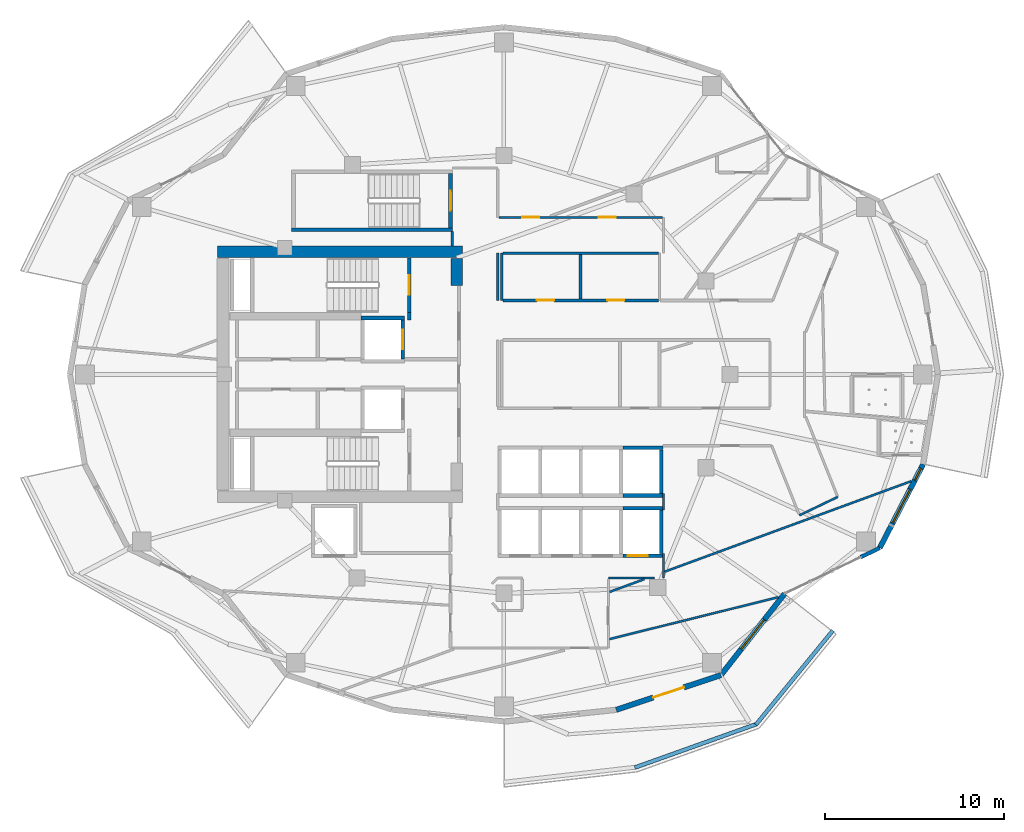
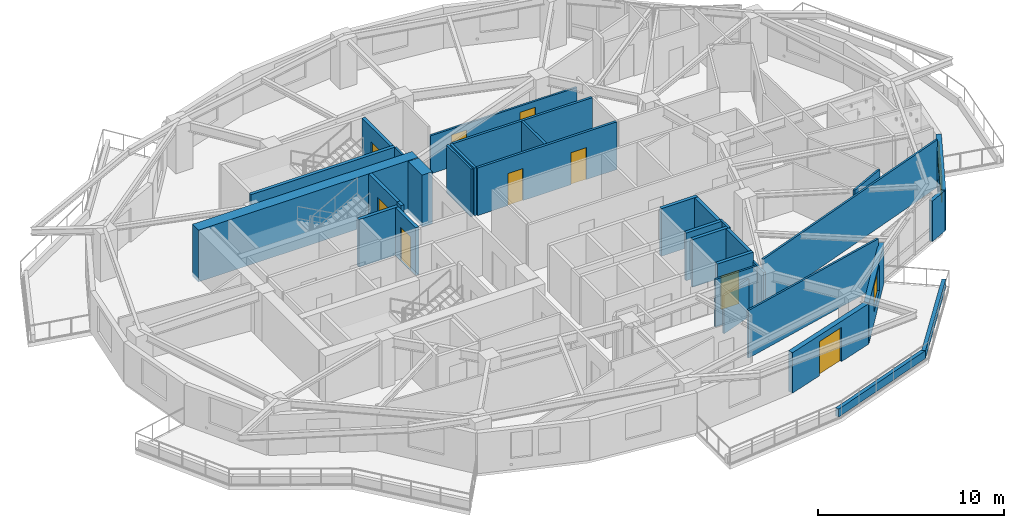
# One storey, part 8 of 15: 34 walls, 9 doors, 3 windows, 12 openings.
"""IFC4 building model written with IfcOpenShell, lengths in metres."""

from ifc_helpers import new_model, si_unit, direction, frame, frame_2d, origin, place, context, subcontext, project, spatial, rectangle, extrude, material, layer, layer_set, type_object, element, fill, save


model = new_model("IFC4")

# Units and contexts
model_context = context("Model", 3, precision=1e-05, world=origin(), true_north=direction((0.0, 1.0)))
body_context = subcontext(model_context, "Body", "Model", "MODEL_VIEW")
ifc_project = project(units=[si_unit("LENGTHUNIT", "METRE"), si_unit("AREAUNIT", "SQUARE_METRE"), si_unit("VOLUMEUNIT", "CUBIC_METRE"), si_unit("PLANEANGLEUNIT", "RADIAN"), si_unit("MASSUNIT", "GRAM", prefix="KILO")], contexts=[model_context])

# Site, building, storey
site_placement = place(None, origin())
site = spatial("IfcSite", under=ifc_project, at=site_placement, CompositionType="ELEMENT")
building_placement = place(site_placement, origin())
building = spatial("IfcBuilding", under=site, at=building_placement, Name="Kolvaren Gate Tower and Convention Centre", CompositionType="ELEMENT")
storey_placement = place(building_placement, frame((0.0, 0.0, 129.10009765625)))
storey = spatial("IfcBuildingStorey", under=building, at=storey_placement, Name="L32", CompositionType="ELEMENT", Elevation=129.10009765625)

# Walls
ifc_material_1 = material(Name="Autoclaved Aerated Masonry Blockwork Class 4 (4.0 MPa)", Category="masonry")
ifc_layer_1 = layer(ifc_material_1, 0.179931640625)
ifc_layer_set_1 = layer_set([ifc_layer_1], Name="Autoclaved Aerated Masonry Blockwork Class 4 (4.0 MPa)")
wall_type_1 = type_object("IfcWallType", Name="ARCH-WL-COMP-180", PredefinedType="SOLIDWALL", material=ifc_layer_set_1)
wall_1_placement = place(storey_placement, frame((24.85009765625, 30.0400390625, 0.0), z_axis=(0.0, 0.0, 1.0), x_axis=(0.0, 1.0, 0.0)))
element("IfcWall", 1, at=wall_1_placement, inside=storey, type_object=wall_type_1, Name="Interior Partition WL-L32-INT-002", PredefinedType="SOLIDWALL", context=body_context, shape_type="SweptSolid", body=[
    extrude(rectangle(XDim=0.419921875, YDim=0.179931640625, at=frame_2d((0.2099609375, 0.0))), origin(), (0.0, 0.0, 1.0), 3.1298828125),
])
ifc_material_2 = material(Name="Fire-Rated Acoustic Gypsum Stud Partition", Category="gypsum")
ifc_layer_2 = layer(ifc_material_2, 0.1201171875)
ifc_layer_set_2 = layer_set([ifc_layer_2], Name="Fire-Rated Acoustic Gypsum Stud Partition")
wall_type_2 = type_object("IfcWallType", Name="ARCH-WL-PART-120", PredefinedType="PARTITIONING", material=ifc_layer_set_2)
wall_2_placement = place(storey_placement, frame((39.02001953125, 15.64990234375, 0.0), z_axis=(0.0, 0.0, 1.0), x_axis=(0.0, 1.0, 0.0)))
element("IfcWall", 2, at=wall_2_placement, inside=storey, type_object=wall_type_2, Name="Interior Partition WL-L32-INT-022", PredefinedType="PARTITIONING", context=body_context, shape_type="SweptSolid", body=[
    extrude(rectangle(XDim=1.360107421875, YDim=0.1201171875, at=frame_2d((0.68017578125, 0.0))), origin(), (0.0, 0.0, 1.0), 2.5048828125),
])
wall_3_placement = place(storey_placement, frame((39.02001953125, 19.43994140625, 0.0), z_axis=(0.0, 0.0, 1.0), x_axis=(0.0, 1.0, 0.0)))
element("IfcWall", 3, at=wall_3_placement, inside=storey, type_object=wall_type_2, Name="Interior Partition WL-L32-INT-022 (2)", PredefinedType="PARTITIONING", context=body_context, shape_type="SweptSolid", body=[
    extrude(rectangle(XDim=0.920166015625, YDim=0.1201171875, at=frame_2d((0.4599609375, 0.0))), origin(), (0.0, 0.0, 1.0), 3.1298828125),
])
wall_4_placement = place(storey_placement, frame((35.949951171875, 15.64990234375, 0.0), z_axis=(0.0, 0.0, 1.0), x_axis=(1.0, 0.0, 0.0)))
element("IfcWall", 4, at=wall_4_placement, inside=storey, type_object=wall_type_2, Name="Interior Partition WL-L32-INT-025", PredefinedType="PARTITIONING", context=body_context, shape_type="SweptSolid", body=[
    extrude(rectangle(XDim=2.568115234375, YDim=0.1201171875, at=frame_2d((1.2841796875, 0.0))), origin(), (0.0, 0.0, 1.0), 3.1298828125),
])
wall_5_placement = place(storey_placement, frame((27.25, 34.152099609375, 0.0), z_axis=(0.0, 0.0, 1.0), x_axis=(0.0, 1.0, 0.0)))
element("IfcWall", 5, at=wall_5_placement, inside=storey, type_object=wall_type_2, Name="Interior Partition WL-L32-INT-028", PredefinedType="PARTITIONING", context=body_context, shape_type="SweptSolid", body=[
    extrude(rectangle(XDim=0.805908203125, YDim=0.1201171875, at=frame_2d((0.40283203125, 0.0))), origin(), (0.0, 0.0, 1.0), 3.1298828125),
])
wall_6_placement = place(storey_placement, frame((29.780029296875, 31.1201171875, 0.0), z_axis=(0.0, 0.0, 1.0), x_axis=(0.0, 1.0, 0.0)))
element("IfcWall", 6, at=wall_6_placement, inside=storey, type_object=wall_type_2, Name="Interior Partition WL-L32-INT-032", PredefinedType="PARTITIONING", context=body_context, shape_type="SweptSolid", body=[
    extrude(rectangle(XDim=2.6298828125, YDim=0.1201171875, at=frame_2d((1.31494140625, 0.0))), origin(), (0.0, 0.0, 1.0), 3.1298828125),
])

# Wall, openings, doors
wall_7_placement = place(storey_placement, frame((29.842041015625, 35.75, 0.0), z_axis=(0.0, 0.0, 1.0), x_axis=(1.0, 0.0, 0.0)))
wall_7 = element("IfcWall", 7, at=wall_7_placement, inside=storey, type_object=wall_type_2, Name="Interior Partition WL-L32-INT-034", PredefinedType="PARTITIONING", context=body_context, shape_type="SweptSolid", body=[
    extrude(rectangle(XDim=9.115966796875, YDim=0.1201171875, at=frame_2d((4.55810546875, 0.0))), origin(), (0.0, 0.0, 1.0), 2.5048828125),
])
opening_1_placement = place(wall_7_placement, frame((5.56787109375, 0.0, 0.0)))
opening_1 = element("IfcOpeningElement", 8, at=opening_1_placement, cuts=wall_7, Name="Opening DR-01", PredefinedType="OPENING", context=body_context, shape_type="SweptSolid", body=[
    extrude(rectangle(XDim=0.949951171875, YDim=2.10009765625, at=frame_2d((0.47509765625, 1.050048828125))), frame((0.0, 0.070068359375, 0.0), z_axis=(0.0, -1.0, 0.0), x_axis=(1.0, 0.0, 0.0)), (0.0, 0.0, 1.0), 0.14013671875),
])
opening_2_placement = place(wall_7_placement, frame((1.302490234375, 0.0, 0.0)))
opening_2 = element("IfcOpeningElement", 9, at=opening_2_placement, cuts=wall_7, Name="Opening DR-01", PredefinedType="OPENING", context=body_context, shape_type="SweptSolid", body=[
    extrude(rectangle(XDim=0.949951171875, YDim=2.10009765625, at=frame_2d((0.47509765625, 1.050048828125))), frame((0.0, 0.070068359375, 0.0), z_axis=(0.0, -1.0, 0.0), x_axis=(1.0, 0.0, 0.0)), (0.0, 0.0, 1.0), 0.14013671875),
])
ifc_material_3 = material(Name="Painted Architectural Steelwork ASTM A500 Grade C 345 MPa", Category="steel")
door_type_1 = type_object("IfcDoorType", Name="ARCH-DR-RISER-950", OperationType="SINGLE_SWING_RIGHT", PredefinedType="DOOR", material=ifc_material_3)
door_1_placement = place(opening_1_placement, origin())
door_1 = element("IfcDoor", 10, at=door_1_placement, inside=storey, type_object=door_type_1, Name="Hotel Guest Room (HTL-L32-09) Door", OperationType="SINGLE_SWING_LEFT", OverallHeight=2.10009765625, OverallWidth=0.949951171875, PredefinedType="DOOR", context=body_context, shape_type="SweptSolid", body=[
    extrude(rectangle(XDim=0.949951171875, YDim=2.10009765625, at=frame_2d((0.47509765625, 1.050048828125))), frame((0.0, 0.02490234375, 0.0), z_axis=(0.0, -1.0, 0.0), x_axis=(1.0, 0.0, 0.0)), (0.0, 0.0, 1.0), 0.050048828125),
])
fill(opening_1, door_1)
door_2_placement = place(opening_2_placement, origin())
door_2 = element("IfcDoor", 11, at=door_2_placement, inside=storey, type_object=door_type_1, Name="Hotel Botanical Clubroom Door", OperationType="SINGLE_SWING_RIGHT", OverallHeight=2.10009765625, OverallWidth=0.949951171875, PredefinedType="DOOR", context=body_context, shape_type="SweptSolid", body=[
    extrude(rectangle(XDim=0.949951171875, YDim=2.10009765625, at=frame_2d((0.47509765625, 1.050048828125))), frame((0.0, 0.02490234375, 0.0), z_axis=(0.0, -1.0, 0.0), x_axis=(1.0, 0.0, 0.0)), (0.0, 0.0, 1.0), 0.050048828125),
])
fill(opening_2, door_2)

# Walls
wall_8_placement = place(storey_placement, frame((46.593994140625, 19.14501953125, 0.0), z_axis=(0.0, 0.0, 1.0), x_axis=(0.901274899261, 0.433247684312, 0.0)))
element("IfcWall", 12, at=wall_8_placement, inside=storey, type_object=wall_type_2, Name="Interior Partition WL-L32-INT-040", PredefinedType="PARTITIONING", context=body_context, shape_type="SweptSolid", body=[
    extrude(rectangle(XDim=2.36572265625, YDim=0.1201171875, at=frame_2d((1.182861328125, 0.0))), origin(), (0.0, 0.0, 1.0), 3.1298828125),
])
wall_9_placement = place(storey_placement, frame((36.011962890625, 14.875732421875, 0.0), z_axis=(0.0, 0.0, 1.0), x_axis=(0.938757901669, 0.344577425339, 0.0)))
element("IfcWall", 13, at=wall_9_placement, inside=storey, type_object=wall_type_2, Name="Interior Partition WL-L32-INT-052", PredefinedType="PARTITIONING", context=body_context, shape_type="SweptSolid", body=[
    extrude(rectangle(XDim=2.066650390625, YDim=0.1201171875, at=frame_2d((1.033203125, 0.0))), origin(), (0.0, 0.0, 1.0), 2.5048828125),
])
wall_10_placement = place(storey_placement, frame((39.08203125, 16.0029296875, 0.0), z_axis=(0.0, 0.0, 1.0), x_axis=(0.93872535699, 0.344666076288, 0.0)))
element("IfcWall", 14, at=wall_10_placement, inside=storey, type_object=wall_type_2, Name="Interior Partition WL-L32-INT-053", PredefinedType="PARTITIONING", context=body_context, shape_type="SweptSolid", body=[
    extrude(rectangle(XDim=14.64501953125, YDim=0.1201171875, at=frame_2d((7.322509765625, 0.0))), origin(), (0.0, 0.0, 1.0), 3.1298828125),
])
wall_11_placement = place(storey_placement, frame((36.011962890625, 12.249267578125, 0.0), z_axis=(0.0, 0.0, 1.0), x_axis=(0.970568919411, 0.24082353015, 0.0)))
element("IfcWall", 15, at=wall_11_placement, inside=storey, type_object=wall_type_2, Name="Interior Partition WL-L32-INT-055", PredefinedType="PARTITIONING", context=body_context, shape_type="SweptSolid", body=[
    extrude(rectangle(XDim=9.69873046875, YDim=0.1201171875, at=frame_2d((4.849365234375, 0.0))), origin(), (0.0, 0.0, 1.0), 3.1298828125),
])
ifc_material_4 = material(Name="Bogota Sabana Bush-Hammered Sandstone Cladding", Category="masonry")
ifc_layer_3 = layer(ifc_material_4, 0.219970703125)
ifc_layer_set_3 = layer_set([ifc_layer_3], Name="Bogota Sabana Bush-Hammered Sandstone Cladding")
wall_type_3 = type_object("IfcWallType", Name="ARCH-WL-PIER-220", PredefinedType="SOLIDWALL", material=ifc_layer_set_3)
wall_12_placement = place(storey_placement, frame((50.0068359375, 16.813232421875, 0.0), z_axis=(0.0, 0.0, 1.0), x_axis=(0.90138115854, 0.433026566193, 0.0)))
element("IfcWall", 16, at=wall_12_placement, inside=storey, type_object=wall_type_3, Name="Tower L32 Unitised Curtain Wall CW-HTL-UNIT Bay 21 Right Column Pier Wrap", PredefinedType="SOLIDWALL", context=body_context, shape_type="SweptSolid", body=[
    extrude(rectangle(XDim=1.181640625, YDim=0.219970703125, at=frame_2d((0.5908203125, 0.0))), origin(), (0.0, 0.0, 1.0), 2.65283203125),
])
ifc_material_5 = material(Name="Piedmont Cream Honed Limestone Cladding", Category="masonry")
ifc_layer_4 = layer(ifc_material_5, 0.219970703125)
ifc_layer_set_4 = layer_set([ifc_layer_4], Name="Piedmont Cream Honed Limestone Cladding")
wall_type_4 = type_object("IfcWallType", Name="ARCH-WL-PLANTER-220", PredefinedType="PARAPET", material=ifc_layer_set_4)
wall_13_placement = place(storey_placement, frame((37.4189453125, 5.08740234375, 0.0), z_axis=(0.0, 0.0, 1.0), x_axis=(0.941632697311, 0.336642040387, 0.0)))
element("IfcWall", 17, at=wall_13_placement, inside=storey, type_object=wall_type_4, Name="Vertical-Forest Balcony Stone Planter Kerb PK-L32-3.2", PredefinedType="PARAPET", context=body_context, shape_type="SweptSolid", body=[
    extrude(rectangle(XDim=7.235595703125, YDim=0.219970703125, at=frame_2d((3.61767578125, 0.0))), origin(), (0.0, 0.0, 1.0), 0.52001953125),
])
wall_14_placement = place(storey_placement, frame((44.1669921875, 7.476806640625, 0.0), z_axis=(0.0, 0.0, 1.0), x_axis=(0.633002467947, 0.77414977593, 0.0)))
element("IfcWall", 18, at=wall_14_placement, inside=storey, type_object=wall_type_4, Name="Vertical-Forest Balcony Stone Planter Kerb PK-L32-3.3", PredefinedType="PARAPET", context=body_context, shape_type="SweptSolid", body=[
    extrude(rectangle(XDim=6.7802734375, YDim=0.219970703125, at=frame_2d((3.39013671875, 0.0))), origin(), (0.0, 0.0, 1.0), 0.52001953125),
])
ifc_layer_5 = layer(ifc_material_1, 0.199951171875)
ifc_layer_set_5 = layer_set([ifc_layer_5], Name="Autoclaved Aerated Masonry Blockwork Class 4 (4.0 MPa)")
wall_type_5 = type_object("IfcWallType", Name="ARCH-WL-SHAFT-200", PredefinedType="SOLIDWALL", material=ifc_layer_set_5)
wall_15_placement = place(storey_placement, frame((22.14990234375, 30.139892578125, 0.0), z_axis=(0.0, 0.0, 1.0), x_axis=(1.0, 0.0, 0.0)))
element("IfcWall", 19, at=wall_15_placement, inside=storey, type_object=wall_type_5, Name="Elevator FF-01 L32 Fire Shaft Wall N", PredefinedType="SOLIDWALL", context=body_context, shape_type="SweptSolid", body=[
    extrude(rectangle(XDim=2.4501953125, YDim=0.199951171875, at=frame_2d((1.22509765625, 0.0))), origin(), (0.0, 0.0, 1.0), 3.1298828125),
])

# Wall, opening, door
wall_16_placement = place(storey_placement, frame((24.5, 27.85009765625, 0.0), z_axis=(0.0, 0.0, 1.0), x_axis=(0.0, 1.0, 0.0)))
wall_16 = element("IfcWall", 20, at=wall_16_placement, inside=storey, type_object=wall_type_5, Name="Elevator FF-01 L32 Fire Shaft Wall E", PredefinedType="SOLIDWALL", context=body_context, shape_type="SweptSolid", body=[
    extrude(rectangle(XDim=2.179931640625, YDim=0.199951171875, at=frame_2d((1.08984375, 0.0))), origin(), (0.0, 0.0, 1.0), 3.1298828125),
])
opening_3_placement = place(wall_16_placement, frame((0.5400390625, 0.0, 0.0)))
opening_3 = element("IfcOpeningElement", 21, at=opening_3_placement, cuts=wall_16, Name="Opening LD", PredefinedType="OPENING", context=body_context, shape_type="SweptSolid", body=[
    extrude(rectangle(XDim=1.10009765625, YDim=2.199951171875, at=frame_2d((0.550048828125, 1.10009765625))), frame((0.0, 0.10986328125, 0.0), z_axis=(0.0, -1.0, 0.0), x_axis=(1.0, 0.0, 0.0)), (0.0, 0.0, 1.0), 0.219970703125),
])
ifc_material_6 = material(Name="Brushed Stainless Steel Grade 316L", Category="steel")
door_type_2 = type_object("IfcDoorType", Name="ARCH-DR-LIFT-1100", OperationType="SLIDING_TO_LEFT", PredefinedType="DOOR", material=ifc_material_6)
door_3_placement = place(opening_3_placement, origin())
door_3 = element("IfcDoor", 22, at=door_3_placement, inside=storey, type_object=door_type_2, Name="Elevator FF-01 L32 Sliding Landing Door", OperationType="SLIDING_TO_LEFT", OverallHeight=2.199951171875, OverallWidth=1.10009765625, PredefinedType="DOOR", context=body_context, shape_type="SweptSolid", body=[
    extrude(rectangle(XDim=1.10009765625, YDim=2.199951171875, at=frame_2d((0.550048828125, 1.10009765625))), frame((0.0, 0.02490234375, 0.0), z_axis=(0.0, -1.0, 0.0), x_axis=(1.0, 0.0, 0.0)), (0.0, 0.0, 1.0), 0.050048828125),
])
fill(opening_3, door_3)

# Wall
wall_17_placement = place(storey_placement, frame((36.75, 19.550048828125, 0.0), z_axis=(0.0, 0.0, 1.0), x_axis=(1.0, 0.0, 0.0)))
element("IfcWall", 23, at=wall_17_placement, inside=storey, type_object=wall_type_5, Name="Elevator PL-08 L32 Fire Shaft Wall N", PredefinedType="SOLIDWALL", context=body_context, shape_type="SweptSolid", body=[
    extrude(rectangle(XDim=2.25, YDim=0.199951171875, at=frame_2d((1.125, 0.0))), origin(), (0.0, 0.0, 1.0), 3.1298828125),
])

# Wall, opening, door
wall_18_placement = place(storey_placement, frame((36.75, 16.89990234375, 0.0), z_axis=(0.0, 0.0, 1.0), x_axis=(1.0, 0.0, 0.0)))
wall_18 = element("IfcWall", 24, at=wall_18_placement, inside=storey, type_object=wall_type_5, Name="Elevator PL-08 L32 Fire Shaft Wall S", PredefinedType="SOLIDWALL", context=body_context, shape_type="SweptSolid", body=[
    extrude(rectangle(XDim=2.25, YDim=0.199951171875, at=frame_2d((1.125, 0.0))), origin(), (0.0, 0.0, 1.0), 3.1298828125),
])
opening_4_placement = place(wall_18_placement, frame((0.280029296875, 0.0, 0.0)))
opening_4 = element("IfcOpeningElement", 25, at=opening_4_placement, cuts=wall_18, Name="Opening LD", PredefinedType="OPENING", context=body_context, shape_type="SweptSolid", body=[
    extrude(rectangle(XDim=1.10009765625, YDim=2.199951171875, at=frame_2d((0.550048828125, 1.10009765625))), frame((0.0, 0.10986328125, 0.0), z_axis=(0.0, -1.0, 0.0), x_axis=(1.0, 0.0, 0.0)), (0.0, 0.0, 1.0), 0.219970703125),
])
door_4_placement = place(opening_4_placement, origin())
door_4 = element("IfcDoor", 26, at=door_4_placement, inside=storey, type_object=door_type_2, Name="Elevator PL-08 L32 Sliding Landing Door", OperationType="SLIDING_TO_LEFT", OverallHeight=2.199951171875, OverallWidth=1.10009765625, PredefinedType="DOOR", context=body_context, shape_type="SweptSolid", body=[
    extrude(rectangle(XDim=1.10009765625, YDim=2.199951171875, at=frame_2d((0.550048828125, 1.10009765625))), frame((0.0, 0.02490234375, 0.0), z_axis=(0.0, -1.0, 0.0), x_axis=(1.0, 0.0, 0.0)), (0.0, 0.0, 1.0), 0.050048828125),
])
fill(opening_4, door_4)

# Walls
wall_19_placement = place(storey_placement, frame((38.89990234375, 17.010009765625, 0.0), z_axis=(0.0, 0.0, 1.0), x_axis=(0.0, 1.0, 0.0)))
element("IfcWall", 27, at=wall_19_placement, inside=storey, type_object=wall_type_5, Name="Elevator PL-08 L32 Fire Shaft Wall E", PredefinedType="SOLIDWALL", context=body_context, shape_type="SweptSolid", body=[
    extrude(rectangle(XDim=2.429931640625, YDim=0.199951171875, at=frame_2d((1.21484375, 0.0))), origin(), (0.0, 0.0, 1.0), 3.1298828125),
])
for number, where, z_axis, x_axis, name in (
    (28, (36.75, 22.89990234375, 0.0), (0.0, 0.0, 1.0), (1.0, 0.0, 0.0), "Elevator PL-12 L32 Fire Shaft Wall N"),
    (29, (36.75, 20.25, 0.0), (0.0, 0.0, 1.0), (1.0, 0.0, 0.0), "Elevator PL-12 L32 Fire Shaft Wall S"),
):
    element("IfcWall", number, at=place(storey_placement, frame(where, z_axis=z_axis, x_axis=x_axis)), inside=storey, type_object=wall_type_5, Name=name, PredefinedType="SOLIDWALL", context=body_context, shape_type="SweptSolid", body=[
        extrude(rectangle(XDim=2.25, YDim=0.199951171875, at=frame_2d((1.125, 0.0))), origin(), (0.0, 0.0, 1.0), 3.1298828125),
    ])
wall_20_placement = place(storey_placement, frame((38.89990234375, 20.360107421875, 0.0), z_axis=(0.0, 0.0, 1.0), x_axis=(0.0, 1.0, 0.0)))
element("IfcWall", 30, at=wall_20_placement, inside=storey, type_object=wall_type_5, Name="Elevator PL-12 L32 Fire Shaft Wall E", PredefinedType="SOLIDWALL", context=body_context, shape_type="SweptSolid", body=[
    extrude(rectangle(XDim=2.429931640625, YDim=0.199951171875, at=frame_2d((1.21484375, 0.0))), origin(), (0.0, 0.0, 1.0), 3.1298828125),
])

# Wall, opening, door
ifc_layer_6 = layer(ifc_material_5, 0.300048828125)
ifc_layer_set_6 = layer_set([ifc_layer_6], Name="Piedmont Cream Honed Limestone Cladding")
wall_type_6 = type_object("IfcWallType", Name="ARCH-WL-STONE-300", PredefinedType="SOLIDWALL", material=ifc_layer_set_6)
wall_21_placement = place(storey_placement, frame((36.38525390625, 8.309326171875, 0.0), z_axis=(0.0, 0.0, 1.0), x_axis=(0.949238009374, 0.314558741032, 0.0)))
wall_21 = element("IfcWall", 31, at=wall_21_placement, inside=storey, type_object=wall_type_6, Name="Tower L32 Honed Stone Spandrel Wall EW-19", PredefinedType="SOLIDWALL", context=body_context, shape_type="SweptSolid", body=[
    extrude(rectangle(XDim=6.1455078125, YDim=0.300048828125, at=frame_2d((3.07275390625, 0.0))), origin(), (0.0, 0.0, 1.0), 2.65283203125),
])
opening_5_placement = place(wall_21_placement, frame((2.173095703125, 0.0, 0.0)))
opening_5 = element("IfcOpeningElement", 32, at=opening_5_placement, cuts=wall_21, Name="Opening DB-01", PredefinedType="OPENING", context=body_context, shape_type="SweptSolid", body=[
    extrude(rectangle(XDim=1.800048828125, YDim=2.25, at=frame_2d((0.89990234375, 1.125))), frame((0.0, 0.159912109375, 0.0), z_axis=(0.0, -1.0, 0.0), x_axis=(1.0, 0.0, 0.0)), (0.0, 0.0, 1.0), 0.320068359375),
])
ifc_material_7 = material(Name="Anodized Architectural Aluminium Alloy 6063-T6", Category="aluminium")
door_type_3 = type_object("IfcDoorType", Name="ARCH-DR-BALC-1800", OperationType="SLIDING_TO_LEFT", PredefinedType="DOOR", material=ifc_material_7)
door_5_placement = place(opening_5_placement, frame((1.800048828125, 0.0, 0.0), z_axis=(0.0, 0.0, 1.0), x_axis=(-1.0, 0.0, 0.0)))
door_5 = element("IfcDoor", 33, at=door_5_placement, inside=storey, type_object=door_type_3, Name="Planted Sky Terrace Access Door DB-L32-19", OperationType="SLIDING_TO_LEFT", OverallHeight=2.25, OverallWidth=1.800048828125, PredefinedType="DOOR", context=body_context, shape_type="SweptSolid", body=[
    extrude(rectangle(XDim=1.800048828125, YDim=2.25, at=frame_2d((0.89990234375, 1.125))), frame((0.0, 0.02490234375, 0.0), z_axis=(0.0, -1.0, 0.0), x_axis=(1.0, 0.0, 0.0)), (0.0, 0.0, 1.0), 0.050048828125),
])
fill(opening_5, door_5)

# Wall, opening, window
wall_22_placement = place(storey_placement, frame((42.21875, 10.242431640625, 0.0), z_axis=(0.0, 0.0, 1.0), x_axis=(0.616435134162, 0.787405693001, 0.0)))
wall_22 = element("IfcWall", 34, at=wall_22_placement, inside=storey, type_object=wall_type_6, Name="Tower L32 Honed Stone Spandrel Wall EW-20", PredefinedType="SOLIDWALL", context=body_context, shape_type="SweptSolid", body=[
    extrude(rectangle(XDim=5.759033203125, YDim=0.300048828125, at=frame_2d((2.87939453125, 0.0))), origin(), (0.0, 0.0, 1.0), 2.65283203125),
])
opening_6_placement = place(wall_22_placement, frame((1.8291015625, 0.0, 0.739990234375)))
opening_6 = element("IfcOpeningElement", 35, at=opening_6_placement, cuts=wall_22, Name="Opening W-02", PredefinedType="OPENING", context=body_context, shape_type="SweptSolid", body=[
    extrude(rectangle(XDim=2.10009765625, YDim=1.699951171875, at=frame_2d((1.050048828125, 0.85009765625))), frame((0.0, 0.159912109375, 0.0), z_axis=(0.0, -1.0, 0.0), x_axis=(1.0, 0.0, 0.0)), (0.0, 0.0, 1.0), 0.320068359375),
])
ifc_material_8 = material(Name="Low-E Triple Insulated Glazing Unit 44 mm", Category="glass")
window_type_1 = type_object("IfcWindowType", Name="ARCH-WN-HTL-2100", PartitioningType="SINGLE_PANEL", PredefinedType="WINDOW", material=ifc_material_8)
window_1_placement = place(opening_6_placement, origin())
window_1 = element("IfcWindow", 36, at=window_1_placement, inside=storey, type_object=window_type_1, Name="Tower L32 Punched Stone Facade Window W-20", OverallHeight=1.699951171875, OverallWidth=2.10009765625, PartitioningType="SINGLE_PANEL", PredefinedType="WINDOW", context=body_context, shape_type="SweptSolid", body=[
    extrude(rectangle(XDim=2.10009765625, YDim=1.699951171875, at=frame_2d((1.050048828125, 0.85009765625))), frame((0.0, 0.030029296875, 0.0), z_axis=(0.0, -1.0, 0.0), x_axis=(1.0, 0.0, 0.0)), (0.0, 0.0, 1.0), 0.06005859375),
])
fill(opening_6, window_1)

# Wall, openings, windows
wall_23_placement = place(storey_placement, frame((51.072021484375, 17.324951171875, 0.0), z_axis=(0.0, 0.0, 1.0), x_axis=(0.459767899643, 0.888039119892, 0.0)))
wall_23 = element("IfcWall", 37, at=wall_23_placement, inside=storey, type_object=wall_type_6, Name="Tower L32 Honed Stone Spandrel Wall EW-22", PredefinedType="SOLIDWALL", context=body_context, shape_type="SweptSolid", body=[
    extrude(rectangle(XDim=5.25537109375, YDim=0.300048828125, at=frame_2d((2.627685546875, 0.0))), origin(), (0.0, 0.0, 1.0), 2.65283203125),
])
opening_7_placement = place(wall_23_placement, frame((1.577880859375, 0.0, 0.739990234375)))
opening_7 = element("IfcOpeningElement", 38, at=opening_7_placement, cuts=wall_23, Name="Opening W-02", PredefinedType="OPENING", context=body_context, shape_type="SweptSolid", body=[
    extrude(rectangle(XDim=2.10009765625, YDim=1.699951171875, at=frame_2d((1.050048828125, 0.85009765625))), frame((0.0, 0.159912109375, 0.0), z_axis=(0.0, -1.0, 0.0), x_axis=(1.0, 0.0, 0.0)), (0.0, 0.0, 1.0), 0.320068359375),
])
opening_8_placement = place(wall_23_placement, frame((4.239990234375, 0.0, 0.719970703125)))
opening_8 = element("IfcOpeningElement", 39, at=opening_8_placement, cuts=wall_23, Name="Opening W-07", PredefinedType="OPENING", context=body_context, shape_type="SweptSolid", body=[
    extrude(rectangle(XDim=0.75, YDim=1.64990234375, at=frame_2d((0.375, 0.824951171875))), frame((0.0, 0.159912109375, 0.0), z_axis=(0.0, -1.0, 0.0), x_axis=(1.0, 0.0, 0.0)), (0.0, 0.0, 1.0), 0.320068359375),
])
window_2_placement = place(opening_7_placement, origin())
window_2 = element("IfcWindow", 40, at=window_2_placement, inside=storey, type_object=window_type_1, Name="Tower L32 Punched Stone Facade Window W-22", OverallHeight=1.699951171875, OverallWidth=2.10009765625, PartitioningType="SINGLE_PANEL", PredefinedType="WINDOW", context=body_context, shape_type="SweptSolid", body=[
    extrude(rectangle(XDim=2.10009765625, YDim=1.699951171875, at=frame_2d((1.050048828125, 0.85009765625))), frame((0.0, 0.030029296875, 0.0), z_axis=(0.0, -1.0, 0.0), x_axis=(1.0, 0.0, 0.0)), (0.0, 0.0, 1.0), 0.06005859375),
])
fill(opening_7, window_2)
window_type_2 = type_object("IfcWindowType", Name="ARCH-WN-SLOT-750", PartitioningType="SINGLE_PANEL", PredefinedType="WINDOW", material=ifc_material_8)
window_3_placement = place(opening_8_placement, origin())
window_3 = element("IfcWindow", 41, at=window_3_placement, inside=storey, type_object=window_type_2, Name="Tower L32 Dwelling Daylight Window DW-01", OverallHeight=1.64990234375, OverallWidth=0.75, PartitioningType="SINGLE_PANEL", PredefinedType="WINDOW", context=body_context, shape_type="SweptSolid", body=[
    extrude(rectangle(XDim=0.75, YDim=1.64990234375, at=frame_2d((0.375, 0.824951171875))), frame((0.0, 0.030029296875, 0.0), z_axis=(0.0, -1.0, 0.0), x_axis=(1.0, 0.0, 0.0)), (0.0, 0.0, 1.0), 0.06005859375),
])
fill(opening_8, window_3)

# Wall
ifc_material_9 = material(Name="Moisture-Resistant Cement-Board Acoustic Partition", Category="gypsum")
ifc_layer_7 = layer(ifc_material_9, 0.14990234375)
ifc_layer_set_7 = layer_set([ifc_layer_7], Name="Moisture-Resistant Cement-Board Acoustic Partition")
wall_type_7 = type_object("IfcWallType", Name="ARCH-WL-WET-150", PredefinedType="PARTITIONING", material=ifc_layer_set_7)
wall_24_placement = place(storey_placement, frame((30.0, 31.1201171875, 0.0), z_axis=(0.0, 0.0, 1.0), x_axis=(0.0, 1.0, 0.0)))
element("IfcWall", 42, at=wall_24_placement, inside=storey, type_object=wall_type_7, Name="Interior Partition WL-L32-INT-014", PredefinedType="PARTITIONING", context=body_context, shape_type="SweptSolid", body=[
    extrude(rectangle(XDim=2.6298828125, YDim=0.14990234375, at=frame_2d((1.31494140625, 0.0))), origin(), (0.0, 0.0, 1.0), 3.1298828125),
])

# Wall, openings, doors
wall_25_placement = place(storey_placement, frame((30.076904296875, 31.1201171875, 0.0), z_axis=(0.0, 0.0, 1.0), x_axis=(1.0, 0.0, 0.0)))
wall_25 = element("IfcWall", 43, at=wall_25_placement, inside=storey, type_object=wall_type_7, Name="Interior Partition WL-L32-INT-019", PredefinedType="PARTITIONING", context=body_context, shape_type="SweptSolid", body=[
    extrude(rectangle(XDim=8.6611328125, YDim=0.14990234375, at=frame_2d((4.33056640625, 0.0))), origin(), (0.0, 0.0, 1.0), 3.1298828125),
])
opening_9_placement = place(wall_25_placement, frame((1.8916015625, 0.0, 0.0)))
opening_9 = element("IfcOpeningElement", 44, at=opening_9_placement, cuts=wall_25, Name="Opening DR-01", PredefinedType="OPENING", context=body_context, shape_type="SweptSolid", body=[
    extrude(rectangle(XDim=0.949951171875, YDim=2.10009765625, at=frame_2d((0.47509765625, 1.050048828125))), frame((0.0, 0.0849609375, 0.0), z_axis=(0.0, -1.0, 0.0), x_axis=(1.0, 0.0, 0.0)), (0.0, 0.0, 1.0), 0.169921875),
])
opening_10_placement = place(wall_25_placement, frame((5.81201171875, 0.0, 0.0)))
opening_10 = element("IfcOpeningElement", 45, at=opening_10_placement, cuts=wall_25, Name="Opening DR-01", PredefinedType="OPENING", context=body_context, shape_type="SweptSolid", body=[
    extrude(rectangle(XDim=0.949951171875, YDim=2.10009765625, at=frame_2d((0.47509765625, 1.050048828125))), frame((0.0, 0.0849609375, 0.0), z_axis=(0.0, -1.0, 0.0), x_axis=(1.0, 0.0, 0.0)), (0.0, 0.0, 1.0), 0.169921875),
])
door_6_placement = place(opening_9_placement, origin())
door_6 = element("IfcDoor", 46, at=door_6_placement, inside=storey, type_object=door_type_1, Name="Valet and Linen Store Door", OperationType="SINGLE_SWING_LEFT", OverallHeight=2.10009765625, OverallWidth=0.949951171875, PredefinedType="DOOR", context=body_context, shape_type="SweptSolid", body=[
    extrude(rectangle(XDim=0.949951171875, YDim=2.10009765625, at=frame_2d((0.47509765625, 1.050048828125))), frame((0.0, 0.02490234375, 0.0), z_axis=(0.0, -1.0, 0.0), x_axis=(1.0, 0.0, 0.0)), (0.0, 0.0, 1.0), 0.050048828125),
])
fill(opening_9, door_6)
door_7_placement = place(opening_10_placement, origin())
door_7 = element("IfcDoor", 47, at=door_7_placement, inside=storey, type_object=door_type_1, Name="Ice and Beverage Pantry Door", OperationType="SINGLE_SWING_RIGHT", OverallHeight=2.10009765625, OverallWidth=0.949951171875, PredefinedType="DOOR", context=body_context, shape_type="SweptSolid", body=[
    extrude(rectangle(XDim=0.949951171875, YDim=2.10009765625, at=frame_2d((0.47509765625, 1.050048828125))), frame((0.0, 0.02490234375, 0.0), z_axis=(0.0, -1.0, 0.0), x_axis=(1.0, 0.0, 0.0)), (0.0, 0.0, 1.0), 0.050048828125),
])
fill(opening_10, door_7)

# Walls
wall_26_placement = place(storey_placement, frame((30.076904296875, 33.75, 0.0), z_axis=(0.0, 0.0, 1.0), x_axis=(1.0, 0.0, 0.0)))
element("IfcWall", 48, at=wall_26_placement, inside=storey, type_object=wall_type_7, Name="Interior Partition WL-L32-INT-020", PredefinedType="PARTITIONING", context=body_context, shape_type="SweptSolid", body=[
    extrude(rectangle(XDim=8.6611328125, YDim=0.14990234375, at=frame_2d((4.33056640625, 0.0))), origin(), (0.0, 0.0, 1.0), 3.1298828125),
])
wall_27_placement = place(storey_placement, frame((34.39990234375, 31.197021484375, 0.0), z_axis=(0.0, 0.0, 1.0), x_axis=(0.0, 1.0, 0.0)))
element("IfcWall", 49, at=wall_27_placement, inside=storey, type_object=wall_type_7, Name="Interior Partition WL-L32-INT-021", PredefinedType="PARTITIONING", context=body_context, shape_type="SweptSolid", body=[
    extrude(rectangle(XDim=2.47607421875, YDim=0.14990234375, at=frame_2d((1.238037109375, 0.0))), origin(), (0.0, 0.0, 1.0), 3.1298828125),
])
ifc_material_10 = material(Name="Concrete C60/75", Category="concrete")
ifc_layer_8 = layer(ifc_material_10, 0.64990234375)
ifc_layer_set_8 = layer_set([ifc_layer_8], Name="Concrete C60/75")
wall_type_8 = type_object("IfcWallType", Name="STR-WL-CORE-650", PredefinedType="SHEAR", material=ifc_layer_set_8)
wall_28_placement = place(storey_placement, frame((14.175048828125, 33.824951171875, -0.27001953125), z_axis=(0.0, 0.0, 1.0), x_axis=(1.0, 0.0, 0.0)))
element("IfcWall", 50, at=wall_28_placement, inside=storey, type_object=wall_type_8, Name="Tower L32 Offset Core Shear Wall N", PredefinedType="SHEAR", context=body_context, shape_type="SweptSolid", body=[
    extrude(rectangle(XDim=13.64990234375, YDim=0.64990234375, at=frame_2d((6.824951171875, 0.0))), origin(), (0.0, 0.0, 1.0), 3.39990234375),
])
wall_29_placement = place(storey_placement, frame((27.5, 31.949951171875, -0.27001953125), z_axis=(0.0, 0.0, 1.0), x_axis=(0.0, 1.0, 0.0)))
element("IfcWall", 51, at=wall_29_placement, inside=storey, type_object=wall_type_8, Name="Tower L32 Offset Core Shear Wall EN", PredefinedType="SHEAR", context=body_context, shape_type="SweptSolid", body=[
    extrude(rectangle(XDim=1.5, YDim=0.64990234375, at=frame_2d((0.75, 0.0))), origin(), (0.0, 0.0, 1.0), 3.39990234375),
])

# Wall, opening, door
ifc_material_11 = material(Name="Concrete C50/60", Category="concrete")
ifc_layer_9 = layer(ifc_material_11, 0.199951171875)
ifc_layer_set_9 = layer_set([ifc_layer_9], Name="Concrete C50/60")
wall_type_9 = type_object("IfcWallType", Name="STR-WL-SHAFT-200", PredefinedType="SHEAR", material=ifc_layer_set_9)
wall_30_placement = place(storey_placement, frame((24.85009765625, 30.4599609375, -0.27001953125), z_axis=(0.0, 0.0, 1.0), x_axis=(0.0, 1.0, 0.0)))
wall_30 = element("IfcWall", 52, at=wall_30_placement, inside=storey, type_object=wall_type_9, Name="Tower North Exit Stair ST-T1 L32 Structural Shear Enclosure Wall NEAR", PredefinedType="SHEAR", context=body_context, shape_type="SweptSolid", body=[
    extrude(rectangle(XDim=3.0380859375, YDim=0.199951171875, at=frame_2d((1.51904296875, 0.0))), origin(), (0.0, 0.0, 1.0), 3.39990234375),
])
opening_11_placement = place(wall_30_placement, frame((0.968994140625, 0.0, 0.27001953125)))
opening_11 = element("IfcOpeningElement", 53, at=opening_11_placement, cuts=wall_30, Name="Opening DS-01", PredefinedType="OPENING", context=body_context, shape_type="SweptSolid", body=[
    extrude(rectangle(XDim=1.10009765625, YDim=2.14990234375, at=frame_2d((0.550048828125, 1.074951171875))), frame((0.0, 0.10986328125, 0.0), z_axis=(0.0, -1.0, 0.0), x_axis=(1.0, 0.0, 0.0)), (0.0, 0.0, 1.0), 0.219970703125),
])
door_type_4 = type_object("IfcDoorType", Name="ARCH-DR-STAIR-1100", OperationType="SINGLE_SWING_LEFT", PredefinedType="DOOR", material=ifc_material_3)
door_8_placement = place(opening_11_placement, origin())
door_8 = element("IfcDoor", 54, at=door_8_placement, inside=storey, type_object=door_type_4, Name="Tower North Exit Stair ST-T1 L32 Fire Exit Stair Door", OperationType="SINGLE_SWING_RIGHT", OverallHeight=2.14990234375, OverallWidth=1.10009765625, PredefinedType="DOOR", context=body_context, shape_type="SweptSolid", body=[
    extrude(rectangle(XDim=1.10009765625, YDim=2.14990234375, at=frame_2d((0.550048828125, 1.074951171875))), frame((0.0, 0.02490234375, 0.0), z_axis=(0.0, -1.0, 0.0), x_axis=(1.0, 0.0, 0.0)), (0.0, 0.0, 1.0), 0.050048828125),
])
fill(opening_11, door_8)

wall_31_placement = place(storey_placement, frame((27.14990234375, 35.159912109375, -0.27001953125), z_axis=(0.0, 0.0, 1.0), x_axis=(0.0, 1.0, 0.0)))
wall_31 = element("IfcWall", 55, at=wall_31_placement, inside=storey, type_object=wall_type_9, Name="Tower Mid-Zone Exit Stair ST-T3 L32 Structural Shear Enclosure Wall NEAR", PredefinedType="SHEAR", context=body_context, shape_type="SweptSolid", body=[
    extrude(rectangle(XDim=3.0400390625, YDim=0.199951171875, at=frame_2d((1.52001953125, 0.0))), origin(), (0.0, 0.0, 1.0), 3.39990234375),
])
opening_12_placement = place(wall_31_placement, frame((0.969970703125, 0.0, 0.27001953125)))
opening_12 = element("IfcOpeningElement", 56, at=opening_12_placement, cuts=wall_31, Name="Opening DS-01", PredefinedType="OPENING", context=body_context, shape_type="SweptSolid", body=[
    extrude(rectangle(XDim=1.10009765625, YDim=2.14990234375, at=frame_2d((0.550048828125, 1.074951171875))), frame((0.0, 0.10986328125, 0.0), z_axis=(0.0, -1.0, 0.0), x_axis=(1.0, 0.0, 0.0)), (0.0, 0.0, 1.0), 0.219970703125),
])
door_9_placement = place(opening_12_placement, origin())
door_9 = element("IfcDoor", 57, at=door_9_placement, inside=storey, type_object=door_type_4, Name="Tower Mid-Zone Exit Stair ST-T3 L32 Fire Exit Stair Door", OperationType="SINGLE_SWING_RIGHT", OverallHeight=2.14990234375, OverallWidth=1.10009765625, PredefinedType="DOOR", context=body_context, shape_type="SweptSolid", body=[
    extrude(rectangle(XDim=1.10009765625, YDim=2.14990234375, at=frame_2d((0.550048828125, 1.074951171875))), frame((0.0, 0.02490234375, 0.0), z_axis=(0.0, -1.0, 0.0), x_axis=(1.0, 0.0, 0.0)), (0.0, 0.0, 1.0), 0.050048828125),
])
fill(opening_12, door_9)

# Wall
wall_32_placement = place(storey_placement, frame((18.300048828125, 35.06005859375, -0.27001953125), z_axis=(0.0, 0.0, 1.0), x_axis=(1.0, 0.0, 0.0)))
element("IfcWall", 58, at=wall_32_placement, inside=storey, type_object=wall_type_9, Name="Tower Mid-Zone Exit Stair ST-T3 L32 Structural Shear Enclosure Wall RGHT", PredefinedType="SHEAR", context=body_context, shape_type="SweptSolid", body=[
    extrude(rectangle(XDim=8.949951171875, YDim=0.199951171875, at=frame_2d((4.47509765625, 0.0))), origin(), (0.0, 0.0, 1.0), 3.39990234375),
])

save(model, "model.ifc")
